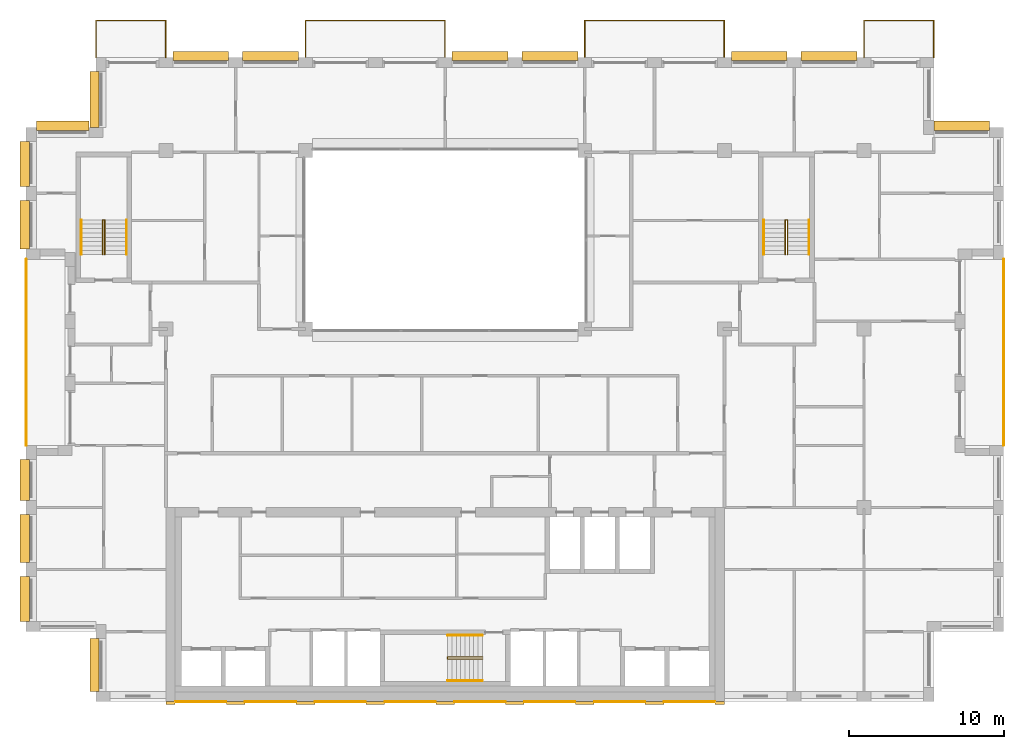
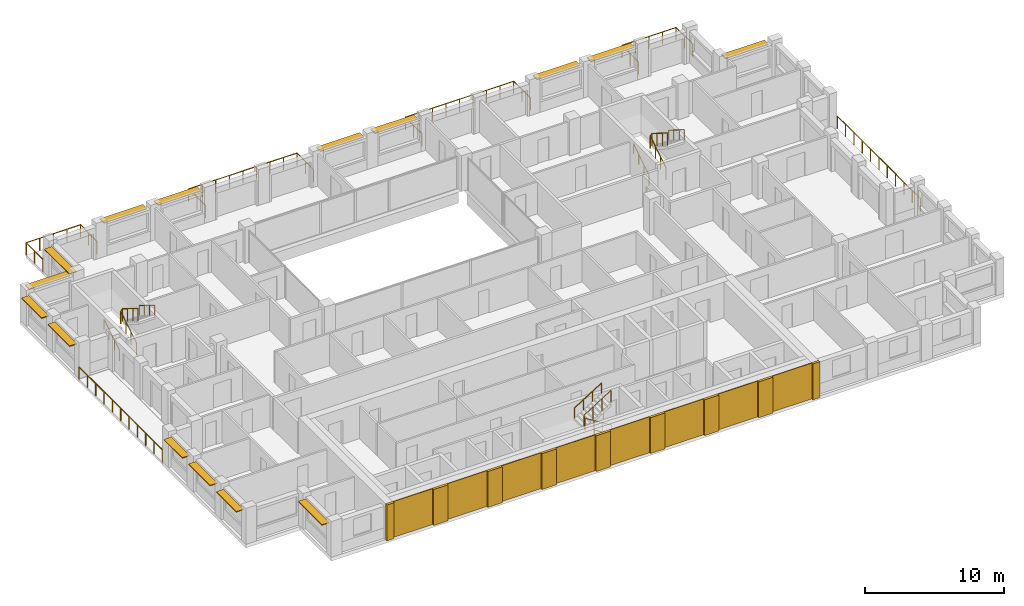
# One storey, part 15 of 15: 17 coverings, 15 railings, 15 shading devices.
"""IFC4 building model written with IfcOpenShell, lengths in metres."""

from ifc_helpers import new_model, si_unit, direction, frame, origin, origin_2d, place, context, subcontext, project, spatial, rectangle, circle, extrude, material, layer, layer_set, type_object, element, save


model = new_model("IFC4")

# Units and contexts
model_context = context("Model", 3, precision=1e-05, world=origin(), true_north=direction((0.0, 1.0)))
body_context = subcontext(model_context, "Body", "Model", "MODEL_VIEW")
ifc_project = project(units=[si_unit("LENGTHUNIT", "METRE"), si_unit("AREAUNIT", "SQUARE_METRE"), si_unit("VOLUMEUNIT", "CUBIC_METRE"), si_unit("PLANEANGLEUNIT", "RADIAN"), si_unit("MASSUNIT", "GRAM", prefix="KILO")], contexts=[model_context])

# Site, building, storey
site_placement = place(None, origin())
site = spatial("IfcSite", under=ifc_project, at=site_placement, CompositionType="ELEMENT")
building_placement = place(site_placement, origin())
building = spatial("IfcBuilding", under=site, at=building_placement, Name="Brigalow Station Residences", CompositionType="ELEMENT")
storey_placement = place(building_placement, frame((0.0, 0.0, 232.64990234375)))
storey = spatial("IfcBuildingStorey", under=building, at=storey_placement, Name="L67", CompositionType="ELEMENT", Elevation=232.64990234375)

# Railings
ifc_material_1 = material(Name="Stainless steel balustrade with laminated glass infill", Category="steel")
railing_type_1 = type_object("IfcRailingType", Name="BALCONY GUARD 1100", PredefinedType="GUARDRAIL", material=ifc_material_1)
railing_1_placement = place(storey_placement, frame((72.0, 16.5, -0.039794921875)))
element("IfcRailing", 1, at=railing_1_placement, inside=storey, type_object=railing_type_1, Name="L67/balcony-guard/1", PredefinedType="GUARDRAIL", context=body_context, shape_type="SweptSolid", body=[
    extrude(circle(Radius=0.02392578125, at=origin_2d()), frame((0.0, 0.0, 1.076171875), z_axis=(0.0, 1.0, 0.0), x_axis=(-1.0, 0.0, 0.0)), (0.0, 0.0, 1.0), 12.0),
    extrude(circle(Radius=0.02099609375, at=origin_2d()), origin(), (0.0, 0.0, 1.0), 1.052001953125),
    extrude(circle(Radius=0.02099609375, at=origin_2d()), frame((0.0, 1.199951171875, 0.0)), (0.0, 0.0, 1.0), 1.052001953125),
    extrude(circle(Radius=0.02099609375, at=origin_2d()), frame((0.0, 2.39990234375, 0.0)), (0.0, 0.0, 1.0), 1.052001953125),
    extrude(circle(Radius=0.02099609375, at=origin_2d()), frame((0.0, 3.60009765625, 0.0)), (0.0, 0.0, 1.0), 1.052001953125),
    extrude(circle(Radius=0.02099609375, at=origin_2d()), frame((0.0, 4.800048828125, 0.0)), (0.0, 0.0, 1.0), 1.052001953125),
    extrude(circle(Radius=0.02099609375, at=origin_2d()), frame((0.0, 6.0, 0.0)), (0.0, 0.0, 1.0), 1.052001953125),
    extrude(circle(Radius=0.02099609375, at=origin_2d()), frame((0.0, 7.199951171875, 0.0)), (0.0, 0.0, 1.0), 1.052001953125),
    extrude(circle(Radius=0.02099609375, at=origin_2d()), frame((0.0, 8.39990234375, 0.0)), (0.0, 0.0, 1.0), 1.052001953125),
    extrude(circle(Radius=0.02099609375, at=origin_2d()), frame((0.0, 9.60009765625, 0.0)), (0.0, 0.0, 1.0), 1.052001953125),
    extrude(circle(Radius=0.02099609375, at=origin_2d()), frame((0.0, 10.800048828125, 0.0)), (0.0, 0.0, 1.0), 1.052001953125),
    extrude(circle(Radius=0.02099609375, at=origin_2d()), frame((0.0, 12.0, 0.0)), (0.0, 0.0, 1.0), 1.052001953125),
])
railing_2_placement = place(storey_placement, frame((67.5, 41.5, -0.039794921875)))
element("IfcRailing", 2, at=railing_2_placement, inside=storey, type_object=railing_type_1, Name="L67/balcony-guard/2", PredefinedType="GUARDRAIL", context=body_context, shape_type="SweptSolid", body=[
    extrude(circle(Radius=0.02392578125, at=origin_2d()), frame((0.0, 0.0, 1.076171875), z_axis=(0.0, 1.0, 0.0), x_axis=(-1.0, 0.0, 0.0)), (0.0, 0.0, 1.0), 2.39990234375),
    extrude(circle(Radius=0.02392578125, at=origin_2d()), frame((0.0, 2.39990234375, 1.076171875), z_axis=(-1.0, 0.0, 0.0), x_axis=(0.0, -1.0, 0.0)), (0.0, 0.0, 1.0), 4.5),
    extrude(circle(Radius=0.02392578125, at=origin_2d()), frame((-4.5, 2.39990234375, 1.076171875), z_axis=(0.0, -1.0, 0.0), x_axis=(1.0, 0.0, 0.0)), (0.0, 0.0, 1.0), 2.39990234375),
    extrude(circle(Radius=0.02099609375, at=origin_2d()), origin(), (0.0, 0.0, 1.0), 1.052001953125),
    extrude(circle(Radius=0.02099609375, at=origin_2d()), frame((0.0, 1.199951171875, 0.0)), (0.0, 0.0, 1.0), 1.052001953125),
    extrude(circle(Radius=0.02099609375, at=origin_2d()), frame((0.0, 2.39990234375, 0.0)), (0.0, 0.0, 1.0), 1.052001953125),
    extrude(circle(Radius=0.02099609375, at=origin_2d()), frame((-1.125, 2.39990234375, 0.0)), (0.0, 0.0, 1.0), 1.052001953125),
    extrude(circle(Radius=0.02099609375, at=origin_2d()), frame((-2.25, 2.39990234375, 0.0)), (0.0, 0.0, 1.0), 1.052001953125),
    extrude(circle(Radius=0.02099609375, at=origin_2d()), frame((-3.375, 2.39990234375, 0.0)), (0.0, 0.0, 1.0), 1.052001953125),
    extrude(circle(Radius=0.02099609375, at=origin_2d()), frame((-4.5, 2.39990234375, 0.0)), (0.0, 0.0, 1.0), 1.052001953125),
    extrude(circle(Radius=0.02099609375, at=origin_2d()), frame((-4.5, 1.199951171875, 0.0)), (0.0, 0.0, 1.0), 1.052001953125),
    extrude(circle(Radius=0.02099609375, at=origin_2d()), frame((-4.5, 0.0, 0.0)), (0.0, 0.0, 1.0), 1.052001953125),
])
railing_3_placement = place(storey_placement, frame((54.0, 41.5, -0.039794921875)))
element("IfcRailing", 3, at=railing_3_placement, inside=storey, type_object=railing_type_1, Name="L67/balcony-guard/3", PredefinedType="GUARDRAIL", context=body_context, shape_type="SweptSolid", body=[
    extrude(circle(Radius=0.02392578125, at=origin_2d()), frame((0.0, 0.0, 1.076171875), z_axis=(0.0, 1.0, 0.0), x_axis=(-1.0, 0.0, 0.0)), (0.0, 0.0, 1.0), 2.39990234375),
    extrude(circle(Radius=0.02392578125, at=origin_2d()), frame((0.0, 2.39990234375, 1.076171875), z_axis=(-1.0, 0.0, 0.0), x_axis=(0.0, -1.0, 0.0)), (0.0, 0.0, 1.0), 9.0),
    extrude(circle(Radius=0.02392578125, at=origin_2d()), frame((-9.0, 2.39990234375, 1.076171875), z_axis=(0.0, -1.0, 0.0), x_axis=(1.0, 0.0, 0.0)), (0.0, 0.0, 1.0), 2.39990234375),
    extrude(circle(Radius=0.02099609375, at=origin_2d()), origin(), (0.0, 0.0, 1.0), 1.052001953125),
    extrude(circle(Radius=0.02099609375, at=origin_2d()), frame((0.0, 1.199951171875, 0.0)), (0.0, 0.0, 1.0), 1.052001953125),
    extrude(circle(Radius=0.02099609375, at=origin_2d()), frame((0.0, 2.39990234375, 0.0)), (0.0, 0.0, 1.0), 1.052001953125),
    extrude(circle(Radius=0.02099609375, at=origin_2d()), frame((-1.125, 2.39990234375, 0.0)), (0.0, 0.0, 1.0), 1.052001953125),
    extrude(circle(Radius=0.02099609375, at=origin_2d()), frame((-2.25, 2.39990234375, 0.0)), (0.0, 0.0, 1.0), 1.052001953125),
    extrude(circle(Radius=0.02099609375, at=origin_2d()), frame((-3.375, 2.39990234375, 0.0)), (0.0, 0.0, 1.0), 1.052001953125),
    extrude(circle(Radius=0.02099609375, at=origin_2d()), frame((-4.5, 2.39990234375, 0.0)), (0.0, 0.0, 1.0), 1.052001953125),
    extrude(circle(Radius=0.02099609375, at=origin_2d()), frame((-5.625, 2.39990234375, 0.0)), (0.0, 0.0, 1.0), 1.052001953125),
    extrude(circle(Radius=0.02099609375, at=origin_2d()), frame((-6.75, 2.39990234375, 0.0)), (0.0, 0.0, 1.0), 1.052001953125),
    extrude(circle(Radius=0.02099609375, at=origin_2d()), frame((-7.875, 2.39990234375, 0.0)), (0.0, 0.0, 1.0), 1.052001953125),
    extrude(circle(Radius=0.02099609375, at=origin_2d()), frame((-9.0, 2.39990234375, 0.0)), (0.0, 0.0, 1.0), 1.052001953125),
    extrude(circle(Radius=0.02099609375, at=origin_2d()), frame((-9.0, 1.199951171875, 0.0)), (0.0, 0.0, 1.0), 1.052001953125),
    extrude(circle(Radius=0.02099609375, at=origin_2d()), frame((-9.0, 0.0, 0.0)), (0.0, 0.0, 1.0), 1.052001953125),
])
railing_4_placement = place(storey_placement, frame((36.0, 41.5, -0.039794921875)))
element("IfcRailing", 4, at=railing_4_placement, inside=storey, type_object=railing_type_1, Name="L67/balcony-guard/4", PredefinedType="GUARDRAIL", context=body_context, shape_type="SweptSolid", body=[
    extrude(circle(Radius=0.02392578125, at=origin_2d()), frame((0.0, 0.0, 1.076171875), z_axis=(0.0, 1.0, 0.0), x_axis=(-1.0, 0.0, 0.0)), (0.0, 0.0, 1.0), 2.39990234375),
    extrude(circle(Radius=0.02392578125, at=origin_2d()), frame((0.0, 2.39990234375, 1.076171875), z_axis=(-1.0, 0.0, 0.0), x_axis=(0.0, -1.0, 0.0)), (0.0, 0.0, 1.0), 9.0),
    extrude(circle(Radius=0.02392578125, at=origin_2d()), frame((-9.0, 2.39990234375, 1.076171875), z_axis=(0.0, -1.0, 0.0), x_axis=(1.0, 0.0, 0.0)), (0.0, 0.0, 1.0), 2.39990234375),
    extrude(circle(Radius=0.02099609375, at=origin_2d()), origin(), (0.0, 0.0, 1.0), 1.052001953125),
    extrude(circle(Radius=0.02099609375, at=origin_2d()), frame((0.0, 1.199951171875, 0.0)), (0.0, 0.0, 1.0), 1.052001953125),
    extrude(circle(Radius=0.02099609375, at=origin_2d()), frame((0.0, 2.39990234375, 0.0)), (0.0, 0.0, 1.0), 1.052001953125),
    extrude(circle(Radius=0.02099609375, at=origin_2d()), frame((-1.125, 2.39990234375, 0.0)), (0.0, 0.0, 1.0), 1.052001953125),
    extrude(circle(Radius=0.02099609375, at=origin_2d()), frame((-2.25, 2.39990234375, 0.0)), (0.0, 0.0, 1.0), 1.052001953125),
    extrude(circle(Radius=0.02099609375, at=origin_2d()), frame((-3.375, 2.39990234375, 0.0)), (0.0, 0.0, 1.0), 1.052001953125),
    extrude(circle(Radius=0.02099609375, at=origin_2d()), frame((-4.5, 2.39990234375, 0.0)), (0.0, 0.0, 1.0), 1.052001953125),
    extrude(circle(Radius=0.02099609375, at=origin_2d()), frame((-5.625, 2.39990234375, 0.0)), (0.0, 0.0, 1.0), 1.052001953125),
    extrude(circle(Radius=0.02099609375, at=origin_2d()), frame((-6.75, 2.39990234375, 0.0)), (0.0, 0.0, 1.0), 1.052001953125),
    extrude(circle(Radius=0.02099609375, at=origin_2d()), frame((-7.875, 2.39990234375, 0.0)), (0.0, 0.0, 1.0), 1.052001953125),
    extrude(circle(Radius=0.02099609375, at=origin_2d()), frame((-9.0, 2.39990234375, 0.0)), (0.0, 0.0, 1.0), 1.052001953125),
    extrude(circle(Radius=0.02099609375, at=origin_2d()), frame((-9.0, 1.199951171875, 0.0)), (0.0, 0.0, 1.0), 1.052001953125),
    extrude(circle(Radius=0.02099609375, at=origin_2d()), frame((-9.0, 0.0, 0.0)), (0.0, 0.0, 1.0), 1.052001953125),
])
railing_5_placement = place(storey_placement, frame((18.0, 41.5, -0.039794921875)))
element("IfcRailing", 5, at=railing_5_placement, inside=storey, type_object=railing_type_1, Name="L67/balcony-guard/5", PredefinedType="GUARDRAIL", context=body_context, shape_type="SweptSolid", body=[
    extrude(circle(Radius=0.02392578125, at=origin_2d()), frame((0.0, 0.0, 1.076171875), z_axis=(0.0, 1.0, 0.0), x_axis=(-1.0, 0.0, 0.0)), (0.0, 0.0, 1.0), 2.39990234375),
    extrude(circle(Radius=0.02392578125, at=origin_2d()), frame((0.0, 2.39990234375, 1.076171875), z_axis=(-1.0, 0.0, 0.0), x_axis=(0.0, -1.0, 0.0)), (0.0, 0.0, 1.0), 4.5),
    extrude(circle(Radius=0.02392578125, at=origin_2d()), frame((-4.5, 2.39990234375, 1.076171875), z_axis=(0.0, -1.0, 0.0), x_axis=(1.0, 0.0, 0.0)), (0.0, 0.0, 1.0), 2.39990234375),
    extrude(circle(Radius=0.02099609375, at=origin_2d()), origin(), (0.0, 0.0, 1.0), 1.052001953125),
    extrude(circle(Radius=0.02099609375, at=origin_2d()), frame((0.0, 1.199951171875, 0.0)), (0.0, 0.0, 1.0), 1.052001953125),
    extrude(circle(Radius=0.02099609375, at=origin_2d()), frame((0.0, 2.39990234375, 0.0)), (0.0, 0.0, 1.0), 1.052001953125),
    extrude(circle(Radius=0.02099609375, at=origin_2d()), frame((-1.125, 2.39990234375, 0.0)), (0.0, 0.0, 1.0), 1.052001953125),
    extrude(circle(Radius=0.02099609375, at=origin_2d()), frame((-2.25, 2.39990234375, 0.0)), (0.0, 0.0, 1.0), 1.052001953125),
    extrude(circle(Radius=0.02099609375, at=origin_2d()), frame((-3.375, 2.39990234375, 0.0)), (0.0, 0.0, 1.0), 1.052001953125),
    extrude(circle(Radius=0.02099609375, at=origin_2d()), frame((-4.5, 2.39990234375, 0.0)), (0.0, 0.0, 1.0), 1.052001953125),
    extrude(circle(Radius=0.02099609375, at=origin_2d()), frame((-4.5, 1.199951171875, 0.0)), (0.0, 0.0, 1.0), 1.052001953125),
    extrude(circle(Radius=0.02099609375, at=origin_2d()), frame((-4.5, 0.0, 0.0)), (0.0, 0.0, 1.0), 1.052001953125),
])
railing_6_placement = place(storey_placement, frame((9.0, 28.5, -0.039794921875)))
element("IfcRailing", 6, at=railing_6_placement, inside=storey, type_object=railing_type_1, Name="L67/balcony-guard/6", PredefinedType="GUARDRAIL", context=body_context, shape_type="SweptSolid", body=[
    extrude(circle(Radius=0.02392578125, at=origin_2d()), frame((0.0, 0.0, 1.076171875), z_axis=(0.0, -1.0, 0.0), x_axis=(1.0, 0.0, 0.0)), (0.0, 0.0, 1.0), 12.0),
    extrude(circle(Radius=0.02099609375, at=origin_2d()), origin(), (0.0, 0.0, 1.0), 1.052001953125),
    extrude(circle(Radius=0.02099609375, at=origin_2d()), frame((0.0, -1.199951171875, 0.0)), (0.0, 0.0, 1.0), 1.052001953125),
    extrude(circle(Radius=0.02099609375, at=origin_2d()), frame((0.0, -2.39990234375, 0.0)), (0.0, 0.0, 1.0), 1.052001953125),
    extrude(circle(Radius=0.02099609375, at=origin_2d()), frame((0.0, -3.60009765625, 0.0)), (0.0, 0.0, 1.0), 1.052001953125),
    extrude(circle(Radius=0.02099609375, at=origin_2d()), frame((0.0, -4.800048828125, 0.0)), (0.0, 0.0, 1.0), 1.052001953125),
    extrude(circle(Radius=0.02099609375, at=origin_2d()), frame((0.0, -6.0, 0.0)), (0.0, 0.0, 1.0), 1.052001953125),
    extrude(circle(Radius=0.02099609375, at=origin_2d()), frame((0.0, -7.199951171875, 0.0)), (0.0, 0.0, 1.0), 1.052001953125),
    extrude(circle(Radius=0.02099609375, at=origin_2d()), frame((0.0, -8.39990234375, 0.0)), (0.0, 0.0, 1.0), 1.052001953125),
    extrude(circle(Radius=0.02099609375, at=origin_2d()), frame((0.0, -9.60009765625, 0.0)), (0.0, 0.0, 1.0), 1.052001953125),
    extrude(circle(Radius=0.02099609375, at=origin_2d()), frame((0.0, -10.800048828125, 0.0)), (0.0, 0.0, 1.0), 1.052001953125),
    extrude(circle(Radius=0.02099609375, at=origin_2d()), frame((0.0, -12.0, 0.0)), (0.0, 0.0, 1.0), 1.052001953125),
])

# Coverings
ifc_material_2 = material(Name="Clay brick masonry", Category="masonry")
ifc_layer_1 = layer(ifc_material_2, 0.06005859375)
ifc_layer_set_1 = layer_set([ifc_layer_1], Name="BRICK PANEL FACING 60")
covering_type_1 = type_object("IfcCoveringType", Name="BRICK PANEL FACING 60", PredefinedType="CLADDING", material=ifc_layer_set_1)
for number, where, z_axis, x_axis, name in (
    (7, (20.25, -0.030029296875, 0.000244140625), (0.0, 0.0, 1.0), (1.0, 0.0, 0.0), "L67/rear-facing/panel-1"),
    (8, (24.75, -0.030029296875, 0.000244140625), (0.0, 0.0, 1.0), (1.0, 0.0, 0.0), "L67/rear-facing/panel-2"),
    (9, (29.25, -0.030029296875, 0.000244140625), (0.0, 0.0, 1.0), (1.0, 0.0, 0.0), "L67/rear-facing/panel-3"),
    (10, (33.75, -0.030029296875, 0.000244140625), (0.0, 0.0, 1.0), (1.0, 0.0, 0.0), "L67/rear-facing/panel-4"),
    (11, (38.25, -0.030029296875, 0.000244140625), (0.0, 0.0, 1.0), (1.0, 0.0, 0.0), "L67/rear-facing/panel-5"),
    (12, (42.75, -0.030029296875, 0.000244140625), (0.0, 0.0, 1.0), (1.0, 0.0, 0.0), "L67/rear-facing/panel-6"),
    (13, (47.25, -0.030029296875, 0.000244140625), (0.0, 0.0, 1.0), (1.0, 0.0, 0.0), "L67/rear-facing/panel-7"),
    (14, (51.75, -0.030029296875, 0.000244140625), (0.0, 0.0, 1.0), (1.0, 0.0, 0.0), "L67/rear-facing/panel-8"),
):
    element("IfcCovering", number, at=place(storey_placement, frame(where, z_axis=z_axis, x_axis=x_axis)), inside=storey, type_object=covering_type_1, Name=name, PredefinedType="CLADDING", context=body_context, shape_type="SweptSolid", body=[
        extrude(rectangle(XDim=3.300048828125, YDim=0.06005859375, at=origin_2d()), origin(), (0.0, 0.0, 1.0), 3.14990234375),
    ])
ifc_material_3 = material(Name="Clay brick masonry", Category="masonry")
ifc_layer_2 = layer(ifc_material_3, 0.199951171875)
ifc_layer_set_2 = layer_set([ifc_layer_2], Name="BRICK PIER FACING 200")
covering_type_2 = type_object("IfcCoveringType", Name="BRICK PIER FACING 200", PredefinedType="CLADDING", material=ifc_layer_set_2)
covering_1_placement = place(storey_placement, frame((18.300048828125, -0.10009765625, 0.000244140625), z_axis=(0.0, 0.0, 1.0), x_axis=(1.0, 0.0, 0.0)))
element("IfcCovering", 15, at=covering_1_placement, inside=storey, type_object=covering_type_2, Name="L67/rear-facing/pier-1", PredefinedType="CLADDING", context=body_context, shape_type="SweptSolid", body=[
    extrude(rectangle(XDim=0.60009765625, YDim=0.199951171875, at=origin_2d()), origin(), (0.0, 0.0, 1.0), 3.14990234375),
])
for number, where, z_axis, x_axis, name in (
    (16, (22.5, -0.10009765625, 0.000244140625), (0.0, 0.0, 1.0), (1.0, 0.0, 0.0), "L67/rear-facing/pier-2"),
    (17, (27.0, -0.10009765625, 0.000244140625), (0.0, 0.0, 1.0), (1.0, 0.0, 0.0), "L67/rear-facing/pier-3"),
    (18, (31.5, -0.10009765625, 0.000244140625), (0.0, 0.0, 1.0), (1.0, 0.0, 0.0), "L67/rear-facing/pier-4"),
    (19, (36.0, -0.10009765625, 0.000244140625), (0.0, 0.0, 1.0), (1.0, 0.0, 0.0), "L67/rear-facing/pier-5"),
    (20, (40.5, -0.10009765625, 0.000244140625), (0.0, 0.0, 1.0), (1.0, 0.0, 0.0), "L67/rear-facing/pier-6"),
    (21, (45.0, -0.10009765625, 0.000244140625), (0.0, 0.0, 1.0), (1.0, 0.0, 0.0), "L67/rear-facing/pier-7"),
    (22, (49.5, -0.10009765625, 0.000244140625), (0.0, 0.0, 1.0), (1.0, 0.0, 0.0), "L67/rear-facing/pier-8"),
):
    element("IfcCovering", number, at=place(storey_placement, frame(where, z_axis=z_axis, x_axis=x_axis)), inside=storey, type_object=covering_type_2, Name=name, PredefinedType="CLADDING", context=body_context, shape_type="SweptSolid", body=[
        extrude(rectangle(XDim=1.199951171875, YDim=0.199951171875, at=origin_2d()), origin(), (0.0, 0.0, 1.0), 3.14990234375),
    ])
covering_2_placement = place(storey_placement, frame((53.699951171875, -0.10009765625, 0.000244140625), z_axis=(0.0, 0.0, 1.0), x_axis=(1.0, 0.0, 0.0)))
element("IfcCovering", 23, at=covering_2_placement, inside=storey, type_object=covering_type_2, Name="L67/rear-facing/pier-9", PredefinedType="CLADDING", context=body_context, shape_type="SweptSolid", body=[
    extrude(rectangle(XDim=0.60009765625, YDim=0.199951171875, at=origin_2d()), origin(), (0.0, 0.0, 1.0), 3.14990234375),
])

# Railings
ifc_material_4 = material(Name="Stainless steel balustrade", Category="steel")
railing_type_2 = type_object("IfcRailingType", Name="STAIR GUARD 1100", PredefinedType="GUARDRAIL", material=ifc_material_4)
railing_7_placement = place(storey_placement, frame((38.39990234375, 2.72998046875, 0.175048828125)))
element("IfcRailing", 24, at=railing_7_placement, inside=storey, type_object=railing_type_2, Name="GUARD GR-2", PredefinedType="GUARDRAIL", context=body_context, shape_type="SweptSolid", body=[
    extrude(circle(Radius=0.02392578125, at=origin_2d()), frame((0.0, 0.0, 1.076171875), z_axis=(-0.847972341737, 0.0, 0.530040477369), x_axis=(0.0, -1.0, 0.0)), (0.0, 0.0, 1.0), 2.6416015625),
    extrude(circle(Radius=0.02392578125, at=origin_2d()), frame((-2.239990234375, 0.0, 2.47607421875), z_axis=(0.0, 0.62549206879, 0.780230524833), x_axis=(-1.0, 0.0, 0.0)), (0.0, 0.0, 1.0), 0.22412109375),
    extrude(circle(Radius=0.02392578125, at=origin_2d()), frame((-2.239990234375, 0.14013671875, 2.65087890625), z_axis=(0.847972341737, 0.0, 0.530040477369), x_axis=(0.0, 1.0, 0.0)), (0.0, 0.0, 1.0), 2.6416015625),
    extrude(circle(Radius=0.02099609375, at=origin_2d()), origin(), (0.0, 0.0, 1.0), 1.052001953125),
    extrude(circle(Radius=0.02099609375, at=origin_2d()), frame((-0.74658203125, 0.0, 0.466796875)), (0.0, 0.0, 1.0), 1.052001953125),
    extrude(circle(Radius=0.02099609375, at=origin_2d()), frame((-1.493408203125, 0.0, 0.933349609375)), (0.0, 0.0, 1.0), 1.052001953125),
    extrude(circle(Radius=0.02099609375, at=origin_2d()), frame((-2.239990234375, 0.0, 1.400146484375)), (0.0, 0.0, 1.0), 1.052001953125),
    extrude(circle(Radius=0.02099609375, at=origin_2d()), frame((-2.239990234375, 0.14013671875, 1.574951171875)), (0.0, 0.0, 1.0), 1.052001953125),
    extrude(circle(Radius=0.02099609375, at=origin_2d()), frame((-1.493408203125, 0.14013671875, 2.041748046875)), (0.0, 0.0, 1.0), 1.052001953125),
    extrude(circle(Radius=0.02099609375, at=origin_2d()), frame((-0.74658203125, 0.14013671875, 2.50830078125)), (0.0, 0.0, 1.0), 1.052001953125),
    extrude(circle(Radius=0.02099609375, at=origin_2d()), frame((0.0, 0.14013671875, 2.97509765625)), (0.0, 0.0, 1.0), 1.052001953125),
])
for number, where, name in (
    (25, (13.929931640625, 28.800048828125, 0.175048828125), "GUARD GR-1"),
    (26, (57.929931640625, 28.800048828125, 0.175048828125), "GUARD GR-3"),
):
    element("IfcRailing", number, at=place(storey_placement, frame(where)), inside=storey, type_object=railing_type_2, Name=name, PredefinedType="GUARDRAIL", context=body_context, shape_type="SweptSolid", body=[
        extrude(circle(Radius=0.02392578125, at=origin_2d()), frame((0.0, 0.0, 1.076171875), z_axis=(0.0, 0.847972341737, 0.530040477369), x_axis=(-1.0, 0.0, 0.0)), (0.0, 0.0, 1.0), 2.6416015625),
        extrude(circle(Radius=0.02392578125, at=origin_2d()), frame((0.0, 2.239990234375, 2.47607421875), z_axis=(0.62549206879, 0.0, 0.780230524833), x_axis=(0.0, 1.0, 0.0)), (0.0, 0.0, 1.0), 0.22412109375),
        extrude(circle(Radius=0.02392578125, at=origin_2d()), frame((0.14013671875, 2.239990234375, 2.65087890625), z_axis=(0.0, -0.847972341737, 0.530040477369), x_axis=(1.0, 0.0, 0.0)), (0.0, 0.0, 1.0), 2.6416015625),
        extrude(circle(Radius=0.02099609375, at=origin_2d()), origin(), (0.0, 0.0, 1.0), 1.052001953125),
        extrude(circle(Radius=0.02099609375, at=origin_2d()), frame((0.0, 0.74658203125, 0.466796875)), (0.0, 0.0, 1.0), 1.052001953125),
        extrude(circle(Radius=0.02099609375, at=origin_2d()), frame((0.0, 1.493408203125, 0.933349609375)), (0.0, 0.0, 1.0), 1.052001953125),
        extrude(circle(Radius=0.02099609375, at=origin_2d()), frame((0.0, 2.239990234375, 1.400146484375)), (0.0, 0.0, 1.0), 1.052001953125),
        extrude(circle(Radius=0.02099609375, at=origin_2d()), frame((0.14013671875, 2.239990234375, 1.574951171875)), (0.0, 0.0, 1.0), 1.052001953125),
        extrude(circle(Radius=0.02099609375, at=origin_2d()), frame((0.14013671875, 1.493408203125, 2.041748046875)), (0.0, 0.0, 1.0), 1.052001953125),
        extrude(circle(Radius=0.02099609375, at=origin_2d()), frame((0.14013671875, 0.74658203125, 2.50830078125)), (0.0, 0.0, 1.0), 1.052001953125),
        extrude(circle(Radius=0.02099609375, at=origin_2d()), frame((0.14013671875, 0.0, 2.97509765625)), (0.0, 0.0, 1.0), 1.052001953125),
    ])
ifc_material_5 = material(Name="Stainless steel handrail", Category="steel")
railing_type_3 = type_object("IfcRailingType", Name="STAIR HANDRAIL 900", PredefinedType="HANDRAIL", material=ifc_material_5)
railing_8_placement = place(storey_placement, frame((38.39990234375, 1.340087890625, 0.175048828125)))
element("IfcRailing", 27, at=railing_8_placement, inside=storey, type_object=railing_type_3, Name="HANDRAIL HR-21", PredefinedType="HANDRAIL", context=body_context, shape_type="SweptSolid", body=[
    extrude(circle(Radius=0.02392578125, at=origin_2d()), frame((0.0, 0.0, 0.8759765625), z_axis=(-0.847972341737, 0.0, 0.530040477369), x_axis=(0.0, -1.0, 0.0)), (0.0, 0.0, 1.0), 2.6416015625),
    extrude(circle(Radius=0.02099609375, at=origin_2d()), origin(), (0.0, 0.0, 1.0), 0.851806640625),
    extrude(circle(Radius=0.02099609375, at=origin_2d()), frame((-0.74658203125, 0.0, 0.466796875)), (0.0, 0.0, 1.0), 0.851806640625),
    extrude(circle(Radius=0.02099609375, at=origin_2d()), frame((-1.493408203125, 0.0, 0.933349609375)), (0.0, 0.0, 1.0), 0.851806640625),
    extrude(circle(Radius=0.02099609375, at=origin_2d()), frame((-2.239990234375, 0.0, 1.400146484375)), (0.0, 0.0, 1.0), 0.851806640625),
])
railing_9_placement = place(storey_placement, frame((36.159912109375, 4.260009765625, 1.75)))
element("IfcRailing", 28, at=railing_9_placement, inside=storey, type_object=railing_type_3, Name="HANDRAIL HR-22", PredefinedType="HANDRAIL", context=body_context, shape_type="SweptSolid", body=[
    extrude(circle(Radius=0.02392578125, at=origin_2d()), frame((0.0, 0.0, 0.8759765625), z_axis=(0.847972341737, 0.0, 0.530040477369), x_axis=(0.0, 1.0, 0.0)), (0.0, 0.0, 1.0), 2.6416015625),
    extrude(circle(Radius=0.02099609375, at=origin_2d()), origin(), (0.0, 0.0, 1.0), 0.851806640625),
    extrude(circle(Radius=0.02099609375, at=origin_2d()), frame((0.74658203125, 0.0, 0.466796875)), (0.0, 0.0, 1.0), 0.851806640625),
    extrude(circle(Radius=0.02099609375, at=origin_2d()), frame((1.493408203125, 0.0, 0.933349609375)), (0.0, 0.0, 1.0), 0.851806640625),
    extrude(circle(Radius=0.02099609375, at=origin_2d()), frame((2.239990234375, 0.0, 1.400146484375)), (0.0, 0.0, 1.0), 0.851806640625),
])
railing_10_placement = place(storey_placement, frame((12.5400390625, 28.800048828125, 0.175048828125)))
element("IfcRailing", 29, at=railing_10_placement, inside=storey, type_object=railing_type_3, Name="HANDRAIL HR-11", PredefinedType="HANDRAIL", context=body_context, shape_type="SweptSolid", body=[
    extrude(circle(Radius=0.02392578125, at=origin_2d()), frame((0.0, 0.0, 0.8759765625), z_axis=(0.0, 0.847972341737, 0.530040477369), x_axis=(-1.0, 0.0, 0.0)), (0.0, 0.0, 1.0), 2.6416015625),
    extrude(circle(Radius=0.02099609375, at=origin_2d()), origin(), (0.0, 0.0, 1.0), 0.851806640625),
    extrude(circle(Radius=0.02099609375, at=origin_2d()), frame((0.0, 0.74658203125, 0.466796875)), (0.0, 0.0, 1.0), 0.851806640625),
    extrude(circle(Radius=0.02099609375, at=origin_2d()), frame((0.0, 1.493408203125, 0.933349609375)), (0.0, 0.0, 1.0), 0.851806640625),
    extrude(circle(Radius=0.02099609375, at=origin_2d()), frame((0.0, 2.239990234375, 1.400146484375)), (0.0, 0.0, 1.0), 0.851806640625),
])
railing_11_placement = place(storey_placement, frame((15.4599609375, 31.0400390625, 1.75)))
element("IfcRailing", 30, at=railing_11_placement, inside=storey, type_object=railing_type_3, Name="HANDRAIL HR-12", PredefinedType="HANDRAIL", context=body_context, shape_type="SweptSolid", body=[
    extrude(circle(Radius=0.02392578125, at=origin_2d()), frame((0.0, 0.0, 0.8759765625), z_axis=(0.0, -0.847972341737, 0.530040477369), x_axis=(1.0, 0.0, 0.0)), (0.0, 0.0, 1.0), 2.6416015625),
    extrude(circle(Radius=0.02099609375, at=origin_2d()), origin(), (0.0, 0.0, 1.0), 0.851806640625),
    extrude(circle(Radius=0.02099609375, at=origin_2d()), frame((0.0, -0.74658203125, 0.466796875)), (0.0, 0.0, 1.0), 0.851806640625),
    extrude(circle(Radius=0.02099609375, at=origin_2d()), frame((0.0, -1.493408203125, 0.933349609375)), (0.0, 0.0, 1.0), 0.851806640625),
    extrude(circle(Radius=0.02099609375, at=origin_2d()), frame((0.0, -2.239990234375, 1.400146484375)), (0.0, 0.0, 1.0), 0.851806640625),
])
railing_12_placement = place(storey_placement, frame((56.5400390625, 28.800048828125, 0.175048828125)))
element("IfcRailing", 31, at=railing_12_placement, inside=storey, type_object=railing_type_3, Name="HANDRAIL HR-31", PredefinedType="HANDRAIL", context=body_context, shape_type="SweptSolid", body=[
    extrude(circle(Radius=0.02392578125, at=origin_2d()), frame((0.0, 0.0, 0.8759765625), z_axis=(0.0, 0.847972341737, 0.530040477369), x_axis=(-1.0, 0.0, 0.0)), (0.0, 0.0, 1.0), 2.6416015625),
    extrude(circle(Radius=0.02099609375, at=origin_2d()), origin(), (0.0, 0.0, 1.0), 0.851806640625),
    extrude(circle(Radius=0.02099609375, at=origin_2d()), frame((0.0, 0.74658203125, 0.466796875)), (0.0, 0.0, 1.0), 0.851806640625),
    extrude(circle(Radius=0.02099609375, at=origin_2d()), frame((0.0, 1.493408203125, 0.933349609375)), (0.0, 0.0, 1.0), 0.851806640625),
    extrude(circle(Radius=0.02099609375, at=origin_2d()), frame((0.0, 2.239990234375, 1.400146484375)), (0.0, 0.0, 1.0), 0.851806640625),
])
railing_13_placement = place(storey_placement, frame((59.4599609375, 31.0400390625, 1.75)))
element("IfcRailing", 32, at=railing_13_placement, inside=storey, type_object=railing_type_3, Name="HANDRAIL HR-32", PredefinedType="HANDRAIL", context=body_context, shape_type="SweptSolid", body=[
    extrude(circle(Radius=0.02392578125, at=origin_2d()), frame((0.0, 0.0, 0.8759765625), z_axis=(0.0, -0.847972341737, 0.530040477369), x_axis=(1.0, 0.0, 0.0)), (0.0, 0.0, 1.0), 2.6416015625),
    extrude(circle(Radius=0.02099609375, at=origin_2d()), origin(), (0.0, 0.0, 1.0), 0.851806640625),
    extrude(circle(Radius=0.02099609375, at=origin_2d()), frame((0.0, -0.74658203125, 0.466796875)), (0.0, 0.0, 1.0), 0.851806640625),
    extrude(circle(Radius=0.02099609375, at=origin_2d()), frame((0.0, -1.493408203125, 0.933349609375)), (0.0, 0.0, 1.0), 0.851806640625),
    extrude(circle(Radius=0.02099609375, at=origin_2d()), frame((0.0, -2.239990234375, 1.400146484375)), (0.0, 0.0, 1.0), 0.851806640625),
])

# Shading devices
ifc_material_6 = material(Name="Powder-coated extruded aluminium blade", Category="aluminium")
ifc_layer_3 = layer(ifc_material_6, 0.080078125)
ifc_layer_set_3 = layer_set([ifc_layer_3], Name="SUNSHADE BLADE 600x80")
shading_device_type = type_object("IfcShadingDeviceType", Name="SUNSHADE BLADE 600x80", PredefinedType="JALOUSIE", material=ifc_layer_set_3)
for number, where, z_axis, x_axis, name in (
    (33, (69.300048828125, 37.10009765625, 2.550048828125), (0.0, 0.0, 1.0), (-1.0, 0.0, 0.0), "L67/blade/W-L67-18"),
    (34, (60.75, 41.60009765625, 2.550048828125), (0.0, 0.0, 1.0), (-1.0, 0.0, 0.0), "L67/blade/W-L67-21"),
    (35, (56.25, 41.60009765625, 2.550048828125), (0.0, 0.0, 1.0), (-1.0, 0.0, 0.0), "L67/blade/W-L67-22"),
    (36, (42.75, 41.60009765625, 2.550048828125), (0.0, 0.0, 1.0), (-1.0, 0.0, 0.0), "L67/blade/W-L67-25"),
    (37, (38.25, 41.60009765625, 2.550048828125), (0.0, 0.0, 1.0), (-1.0, 0.0, 0.0), "L67/blade/W-L67-26"),
    (38, (24.75, 41.60009765625, 2.550048828125), (0.0, 0.0, 1.0), (-1.0, 0.0, 0.0), "L67/blade/W-L67-29"),
    (39, (20.25, 41.60009765625, 2.550048828125), (0.0, 0.0, 1.0), (-1.0, 0.0, 0.0), "L67/blade/W-L67-30"),
    (40, (13.39990234375, 38.800048828125, 2.550048828125), (0.0, 0.0, 1.0), (0.0, -1.0, 0.0), "L67/blade/W-L67-32"),
):
    element("IfcShadingDevice", number, at=place(storey_placement, frame(where, z_axis=z_axis, x_axis=x_axis)), inside=storey, type_object=shading_device_type, Name=name, PredefinedType="JALOUSIE", context=body_context, shape_type="SweptSolid", body=[
        extrude(rectangle(XDim=3.60009765625, YDim=0.60009765625, at=origin_2d()), origin(), (0.0, 0.0, 1.0), 0.080078125),
    ])
shading_device_1_placement = place(storey_placement, frame((11.35009765625, 37.10009765625, 2.550048828125), z_axis=(0.0, 0.0, 1.0), x_axis=(-1.0, 0.0, 0.0)))
element("IfcShadingDevice", 41, at=shading_device_1_placement, inside=storey, type_object=shading_device_type, Name="L67/blade/W-L67-33", PredefinedType="JALOUSIE", context=body_context, shape_type="SweptSolid", body=[
    extrude(rectangle(XDim=3.39990234375, YDim=0.60009765625, at=origin_2d()), origin(), (0.0, 0.0, 1.0), 0.080078125),
])
shading_device_2_placement = place(storey_placement, frame((8.89990234375, 34.64990234375, 2.550048828125), z_axis=(0.0, 0.0, 1.0), x_axis=(0.0, -1.0, 0.0)))
element("IfcShadingDevice", 42, at=shading_device_2_placement, inside=storey, type_object=shading_device_type, Name="L67/blade/W-L67-34", PredefinedType="JALOUSIE", context=body_context, shape_type="SweptSolid", body=[
    extrude(rectangle(XDim=2.89990234375, YDim=0.60009765625, at=origin_2d()), origin(), (0.0, 0.0, 1.0), 0.080078125),
])
shading_device_3_placement = place(storey_placement, frame((8.89990234375, 30.72509765625, 2.550048828125), z_axis=(0.0, 0.0, 1.0), x_axis=(0.0, -1.0, 0.0)))
element("IfcShadingDevice", 43, at=shading_device_3_placement, inside=storey, type_object=shading_device_type, Name="L67/blade/W-L67-35", PredefinedType="JALOUSIE", context=body_context, shape_type="SweptSolid", body=[
    extrude(rectangle(XDim=3.14990234375, YDim=0.60009765625, at=origin_2d()), origin(), (0.0, 0.0, 1.0), 0.080078125),
])
shading_device_4_placement = place(storey_placement, frame((8.89990234375, 14.27490234375, 2.550048828125), z_axis=(0.0, 0.0, 1.0), x_axis=(0.0, -1.0, 0.0)))
element("IfcShadingDevice", 44, at=shading_device_4_placement, inside=storey, type_object=shading_device_type, Name="L67/blade/W-L67-41", PredefinedType="JALOUSIE", context=body_context, shape_type="SweptSolid", body=[
    extrude(rectangle(XDim=2.64990234375, YDim=0.60009765625, at=origin_2d()), origin(), (0.0, 0.0, 1.0), 0.080078125),
])
shading_device_5_placement = place(storey_placement, frame((8.89990234375, 10.5, 2.550048828125), z_axis=(0.0, 0.0, 1.0), x_axis=(0.0, -1.0, 0.0)))
element("IfcShadingDevice", 45, at=shading_device_5_placement, inside=storey, type_object=shading_device_type, Name="L67/blade/W-L67-42", PredefinedType="JALOUSIE", context=body_context, shape_type="SweptSolid", body=[
    extrude(rectangle(XDim=3.10009765625, YDim=0.60009765625, at=origin_2d()), origin(), (0.0, 0.0, 1.0), 0.080078125),
])
shading_device_6_placement = place(storey_placement, frame((8.89990234375, 6.60009765625, 2.550048828125), z_axis=(0.0, 0.0, 1.0), x_axis=(0.0, -1.0, 0.0)))
element("IfcShadingDevice", 46, at=shading_device_6_placement, inside=storey, type_object=shading_device_type, Name="L67/blade/W-L67-43", PredefinedType="JALOUSIE", context=body_context, shape_type="SweptSolid", body=[
    extrude(rectangle(XDim=2.89990234375, YDim=0.60009765625, at=origin_2d()), origin(), (0.0, 0.0, 1.0), 0.080078125),
])
shading_device_7_placement = place(storey_placement, frame((13.39990234375, 2.35009765625, 2.550048828125), z_axis=(0.0, 0.0, 1.0), x_axis=(0.0, -1.0, 0.0)))
element("IfcShadingDevice", 47, at=shading_device_7_placement, inside=storey, type_object=shading_device_type, Name="L67/blade/W-L67-45", PredefinedType="JALOUSIE", context=body_context, shape_type="SweptSolid", body=[
    extrude(rectangle(XDim=3.39990234375, YDim=0.60009765625, at=origin_2d()), origin(), (0.0, 0.0, 1.0), 0.080078125),
])

save(model, "model.ifc")
